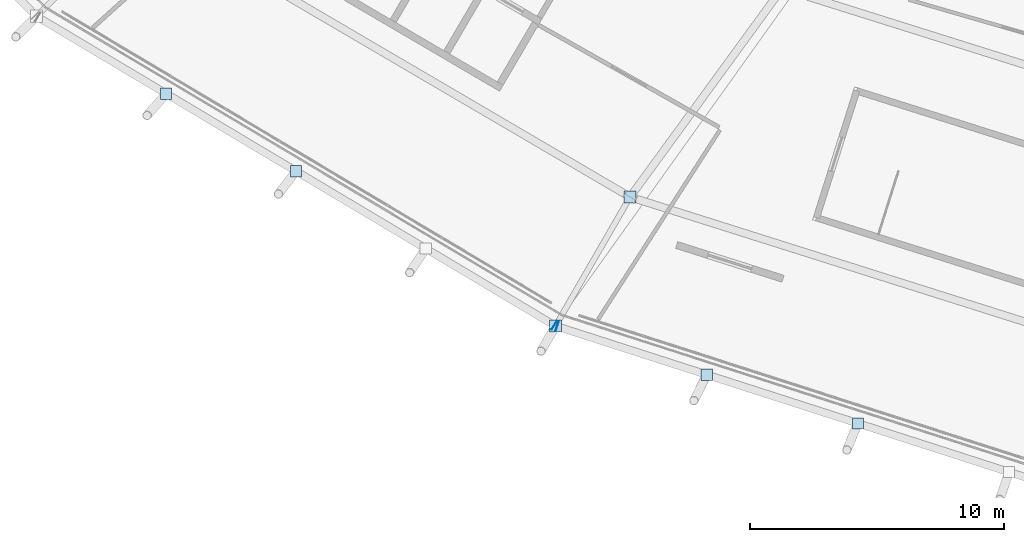
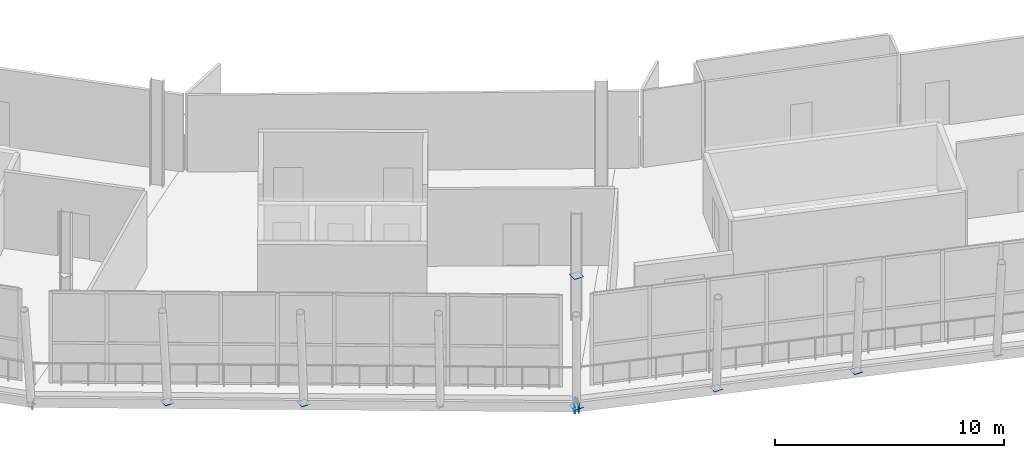
# One storey, part 63 of 99: 8 plates.
"""IFC4 building model written with IfcOpenShell, lengths in metres."""

from ifc_helpers import new_model, si_unit, direction, frame, origin, origin_2d, place, context, subcontext, project, spatial, rectangle, extrude, material, layer, layer_set, type_object, element, save


model = new_model("IFC4")

# Units and contexts
model_context = context("Model", 3, precision=1e-05, world=origin(), true_north=direction((0.0, 1.0)))
body_context = subcontext(model_context, "Body", "Model", "MODEL_VIEW")
ifc_project = project(units=[si_unit("LENGTHUNIT", "METRE"), si_unit("AREAUNIT", "SQUARE_METRE"), si_unit("VOLUMEUNIT", "CUBIC_METRE"), si_unit("PLANEANGLEUNIT", "RADIAN"), si_unit("MASSUNIT", "GRAM", prefix="KILO")], contexts=[model_context])

# Site, building, storey
site_placement = place(None, origin())
site = spatial("IfcSite", under=ifc_project, at=site_placement, CompositionType="ELEMENT")
building_placement = place(site_placement, origin())
building = spatial("IfcBuilding", under=site, at=building_placement, Name="Zlatoyarsky Gate Stadium", CompositionType="ELEMENT")
storey_placement = place(building_placement, frame((0.0, 0.0, 26.199951171875)))
storey = spatial("IfcBuildingStorey", under=building, at=storey_placement, Name="L05", CompositionType="ELEMENT", Elevation=26.199951171875)

# Plates
ifc_material = material(Name="Steel S355", Category="steel")
ifc_layer = layer(ifc_material, 0.02392578125)
ifc_layer_set = layer_set([ifc_layer], Name="Steel S355")
plate_type = type_object("IfcPlateType", Name="STEEL HOLLOW CHORD SPLICE SHEET 24", PredefinedType="SHEET", material=ifc_layer_set)
for number, where, z_axis, x_axis, name in (
    (1, (61.509521484375, 13.452392578125, -0.81005859375), (0.0, 0.0, 1.0), (0.858777552781, -0.51234862627, 0.0), "Hollow end cap ND-SP1 CAP-L05-SPD-15 B"),
    (2, (61.617919921875, 13.4033203125, -0.81005859375), (0.0, 0.0, 1.0), (0.951856313904, -0.306544544365, 0.0), "Hollow end cap ND-SP1 CAP-L05-SPD-16 A"),
):
    element("IfcPlate", number, at=place(storey_placement, frame(where, z_axis=z_axis, x_axis=x_axis)), inside=storey, type_object=plate_type, Name=name, PredefinedType="SHEET", context=body_context, shape_type="SweptSolid", body=[
        extrude(rectangle(XDim=0.02392578125, YDim=0.39990234375, at=origin_2d()), origin(), (0.0, 0.0, 1.0), 0.60009765625),
    ])
plate_1_placement = place(storey_placement, frame((61.560791015625, 13.421630859375, -0.572021484375), z_axis=(0.0, 0.0, 1.0), x_axis=(1.0, 0.0, 0.0)))
element("IfcPlate", 3, at=plate_1_placement, inside=storey, type_object=plate_type, Name="Node closure plate ND-SP1 NCAP-L05-RSTR-16", PredefinedType="SHEET", context=body_context, shape_type="SweptSolid", body=[
    extrude(rectangle(XDim=0.47998046875, YDim=0.47998046875, at=origin_2d()), origin(), (0.0, 0.0, 1.0), 0.02392578125),
])
for number, where, z_axis, x_axis, name in (
    (4, (46.2021484375, 22.584716796875, -0.52197265625), (0.0, 0.0, 1.0), (1.0, 0.0, 0.0), "Node closure plate ND-SP1 NCAP-RIB-15-1-3T"),
    (5, (51.32177734375, 19.5302734375, -0.52197265625), (0.0, 0.0, 1.0), (1.0, 0.0, 0.0), "Node closure plate ND-SP1 NCAP-RIB-15-2-3T"),
    (6, (67.522705078125, 11.501708984375, -0.52197265625), (0.0, 0.0, 1.0), (1.0, 0.0, 0.0), "Node closure plate ND-SP1 NCAP-RIB-16-1-3T"),
    (7, (73.484619140625, 9.58154296875, -0.52197265625), (0.0, 0.0, 1.0), (1.0, 0.0, 0.0), "Node closure plate ND-SP1 NCAP-RIB-16-2-3T"),
):
    element("IfcPlate", number, at=place(storey_placement, frame(where, z_axis=z_axis, x_axis=x_axis)), inside=storey, type_object=plate_type, Name=name, PredefinedType="SHEET", context=body_context, shape_type="SweptSolid", body=[
        extrude(rectangle(XDim=0.43994140625, YDim=0.43994140625, at=origin_2d()), origin(), (0.0, 0.0, 1.0), 0.02392578125),
    ])
plate_2_placement = place(storey_placement, frame((64.5, 18.51220703125, 2.2880859375), z_axis=(0.0, 0.0, 1.0), x_axis=(1.0, 0.0, 0.0)))
element("IfcPlate", 8, at=plate_2_placement, inside=storey, type_object=plate_type, Name="Node closure plate ND-SP1 NCAP-BPROP-16", PredefinedType="SHEET", context=body_context, shape_type="SweptSolid", body=[
    extrude(rectangle(XDim=0.4599609375, YDim=0.4599609375, at=origin_2d()), origin(), (0.0, 0.0, 1.0), 0.02392578125),
])

save(model, "model.ifc")
